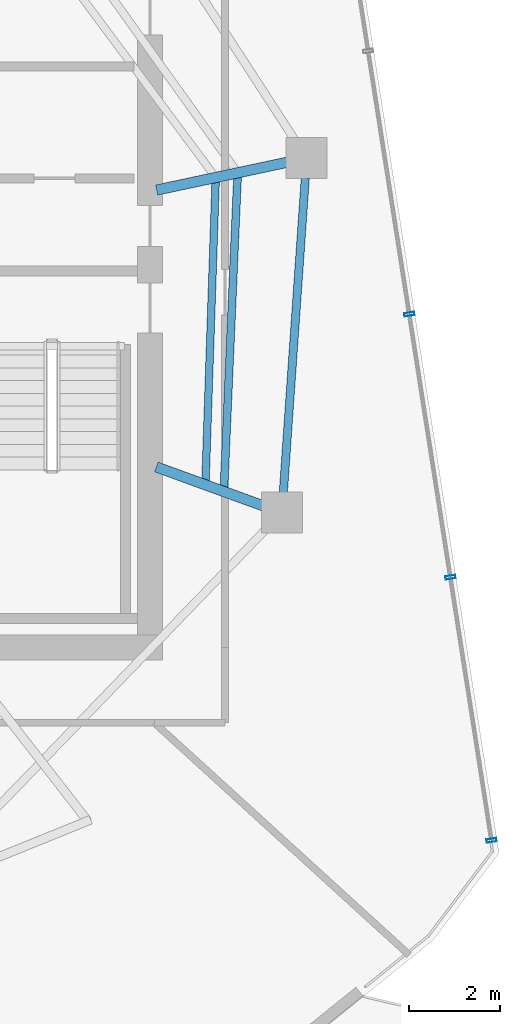
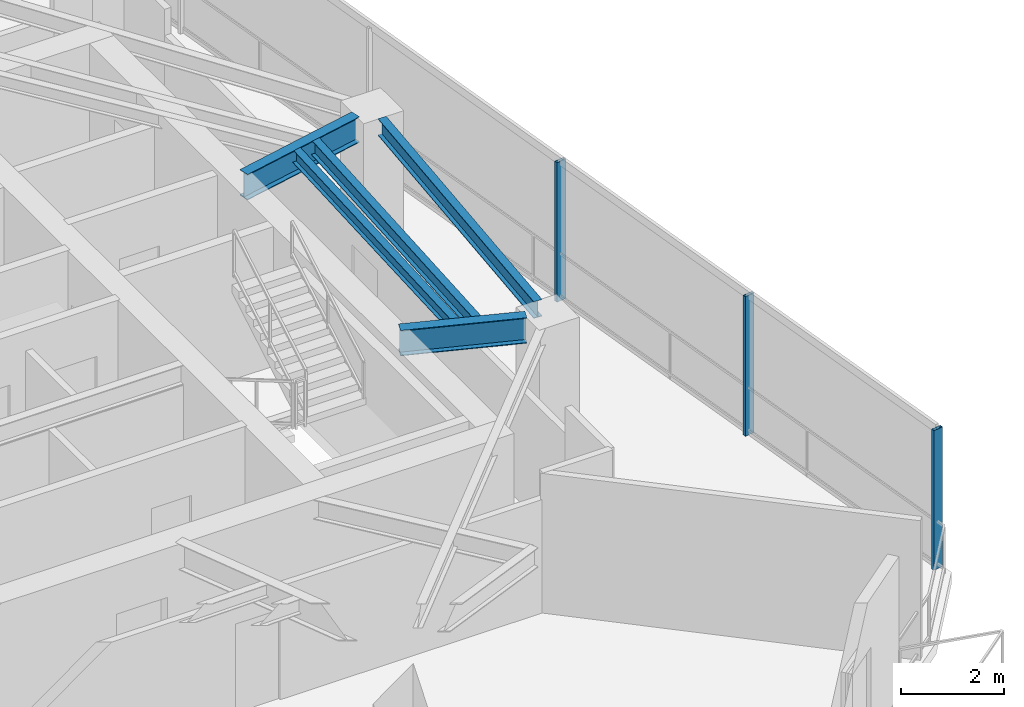
# One storey, part 9 of 19: 5 beams, 3 members, 1 element without a shape of its own.
"""IFC4 building model written with IfcOpenShell, lengths in metres."""

from ifc_helpers import new_model, si_unit, direction, frame, origin, origin_2d, place, context, subcontext, project, spatial, hollow_rectangle, i_section, extrude, material, layer, layer_set, material_profile, profile_set, type_object, element, aggregate, save


model = new_model("IFC4")

# Units and contexts
model_context = context("Model", 3, precision=1e-05, world=origin(), true_north=direction((0.0, 1.0)))
body_context = subcontext(model_context, "Body", "Model", "MODEL_VIEW")
ifc_project = project(units=[si_unit("LENGTHUNIT", "METRE"), si_unit("AREAUNIT", "SQUARE_METRE"), si_unit("VOLUMEUNIT", "CUBIC_METRE"), si_unit("PLANEANGLEUNIT", "RADIAN"), si_unit("MASSUNIT", "GRAM", prefix="KILO")], contexts=[model_context])

# Site, building, storey
site_placement = place(None, origin())
site = spatial("IfcSite", under=ifc_project, at=site_placement, CompositionType="ELEMENT")
building_placement = place(site_placement, origin())
building = spatial("IfcBuilding", under=site, at=building_placement, Name="Qarnah Convention Tower", CompositionType="ELEMENT")
storey_placement = place(building_placement, frame((0.0, 0.0, 213.0)))
storey = spatial("IfcBuildingStorey", under=building, at=storey_placement, Name="L57", CompositionType="ELEMENT", Elevation=213.0)

# Beams
ifc_material_1 = material(Name="Structural steel S355JR", Category="steel")
ifc_material_profile_1 = material_profile(ifc_material_1, i_section(OverallWidth=0.166015625, OverallDepth=0.31201171875, WebThickness=0.007080078125, FlangeThickness=0.010986328125, at=origin_2d()), Name="W310X45")
ifc_profile_set_1 = profile_set([ifc_material_profile_1], Name="Structural steel S355JR")
beam_type_1 = type_object("IfcBeamType", Name="BM-JST-W310", PredefinedType="JOIST", material=ifc_profile_set_1)
beam_1_placement = place(storey_placement, frame((48.820068359375, 22.260986328125, 3.1640625), z_axis=(0.033775053136, 0.999429460135, 0.0), x_axis=(-0.999429460135, 0.033775053136, 0.0)))
element("IfcBeam", 1, at=beam_1_placement, inside=storey, type_object=beam_type_1, Name="L57 joist BM-L57-IJST-09", PredefinedType="JOIST", context=body_context, shape_type="SweptSolid", body=[
    extrude(i_section(OverallWidth=0.166015625, OverallDepth=0.31201171875, WebThickness=0.007080078125, FlangeThickness=0.010986328125, at=origin_2d()), origin(), (0.0, 0.0, 1.0), 6.570556640625),
])
ifc_material_profile_2 = material_profile(ifc_material_1, i_section(OverallWidth=0.172119140625, OverallDepth=0.35595703125, WebThickness=0.007080078125, FlangeThickness=0.011962890625, at=origin_2d()), Name="W360X51")
ifc_profile_set_2 = profile_set([ifc_material_profile_2], Name="Structural steel S355JR")
beam_type_2 = type_object("IfcBeamType", Name="BM-JST-W360", PredefinedType="JOIST", material=ifc_profile_set_2)
beam_2_placement = place(storey_placement, frame((49.22607421875, 22.114013671875, 3.14208984375), z_axis=(0.043514871399, 0.99905277937, 0.0), x_axis=(-0.99905277937, 0.043514871399, 0.0)))
element("IfcBeam", 2, at=beam_2_placement, inside=storey, type_object=beam_type_2, Name="L57 joist BM-L57-SJST-09", PredefinedType="JOIST", context=body_context, shape_type="SweptSolid", body=[
    extrude(i_section(OverallWidth=0.172119140625, OverallDepth=0.35595703125, WebThickness=0.007080078125, FlangeThickness=0.011962890625, at=origin_2d()), origin(), (0.0, 0.0, 1.0), 6.822265625),
])
ifc_material_profile_3 = material_profile(ifc_material_1, i_section(OverallWidth=0.22802734375, OverallDepth=0.60791015625, WebThickness=0.010986328125, FlangeThickness=0.01708984375, at=origin_2d()), Name="W610X113")
ifc_profile_set_3 = profile_set([ifc_material_profile_3], Name="Structural steel S355JR")
beam_type_3 = type_object("IfcBeamType", Name="BM-RAD-W610B", PredefinedType="BEAM", material=ifc_profile_set_3)
beam_3_placement = place(storey_placement, frame((47.7470703125, 28.64208984375, 3.01611328125), z_axis=(0.978136876062, 0.207962140033, 0.0), x_axis=(-0.207962140033, 0.978136876062, 0.0)))
element("IfcBeam", 3, at=beam_3_placement, inside=storey, type_object=beam_type_3, Name="L57 beam BM-L57-RAD-01", PredefinedType="BEAM", context=body_context, shape_type="SweptSolid", body=[
    extrude(i_section(OverallWidth=0.22802734375, OverallDepth=0.60791015625, WebThickness=0.010986328125, FlangeThickness=0.01708984375, at=origin_2d()), origin(), (0.0, 0.0, 1.0), 2.937255859375),
])
beam_4_placement = place(storey_placement, frame((47.740966796875, 22.56298828125, 3.01611328125), z_axis=(0.939707956932, -0.341978004671, 0.0), x_axis=(0.341978004671, 0.939707956932, 0.0)))
element("IfcBeam", 4, at=beam_4_placement, inside=storey, type_object=beam_type_3, Name="L57 beam BM-L57-RAD-09", PredefinedType="BEAM", context=body_context, shape_type="SweptSolid", body=[
    extrude(i_section(OverallWidth=0.22802734375, OverallDepth=0.60791015625, WebThickness=0.010986328125, FlangeThickness=0.01708984375, at=origin_2d()), origin(), (0.0, 0.0, 1.0), 2.5029296875),
])
ifc_material_profile_4 = material_profile(ifc_material_1, i_section(OverallWidth=0.179931640625, OverallDepth=0.39990234375, WebThickness=0.009033203125, FlangeThickness=0.013916015625, at=origin_2d()), Name="IPE400")
ifc_profile_set_4 = profile_set([ifc_material_profile_4], Name="Structural steel S355JR")
beam_type_4 = type_object("IfcBeamType", Name="BM-SPN-IPE400", PredefinedType="SPANDREL", material=ifc_profile_set_4)
beam_5_placement = place(storey_placement, frame((50.528076171875, 21.9990234375, 3.1201171875), z_axis=(0.069635000818, 0.997572537042, 0.0), x_axis=(-0.997572537042, 0.069635000818, 0.0)))
element("IfcBeam", 5, at=beam_5_placement, inside=storey, type_object=beam_type_4, Name="L57 spandrel BM-L57-SPN-09", PredefinedType="SPANDREL", context=body_context, shape_type="SweptSolid", body=[
    extrude(i_section(OverallWidth=0.179931640625, OverallDepth=0.39990234375, WebThickness=0.009033203125, FlangeThickness=0.013916015625, at=origin_2d()), origin(), (0.0, 0.0, 1.0), 6.9208984375),
])

# Curtain wall, members
ifc_material_2 = material(Name="Tempered Low-E dark glass", Category="glass")
ifc_layer = layer(ifc_material_2, 0.174072265625)
ifc_layer_set = layer_set([ifc_layer], Name="Tempered Low-E dark glass")
curtain_wall_type = type_object("IfcCurtainWallType", Name="CWS-04", PredefinedType="NOTDEFINED", material=ifc_layer_set)
curtain_wall_placement = place(storey_placement, origin())
curtain_wall = element("IfcCurtainWall", 6, at=curtain_wall_placement, inside=storey, type_object=curtain_wall_type, Name="L57 unitised curtain wall CW-L57-F2", PredefinedType="NOTDEFINED")
ifc_material_3 = material(Name="Black anodised aluminium", Category="aluminium")
ifc_material_profile_5 = material_profile(ifc_material_3, hollow_rectangle(XDim=0.074951171875, YDim=0.219970703125, WallThickness=0.0048828125, at=origin_2d()), Name="MUL-75X220")
ifc_profile_set_5 = profile_set([ifc_material_profile_5], Name="Black anodised aluminium")
member_type = type_object("IfcMemberType", Name="MUL-T4", PredefinedType="MULLION", material=ifc_profile_set_5)
member_1_placement = place(storey_placement, frame((53.294189453125, 25.91796875, 0.0), z_axis=(0.0, 0.0, 1.0), x_axis=(0.154360185403, -0.98801464218, 0.0)))
member_1 = element("IfcMember", 7, at=member_1_placement, type_object=member_type, Name="CW-L57-F2 mullion 4", PredefinedType="MULLION", context=body_context, shape_type="SweptSolid", body=[
    extrude(hollow_rectangle(XDim=0.074951171875, YDim=0.219970703125, WallThickness=0.0048828125, at=origin_2d()), origin(), (0.0, 0.0, 1.0), 3.320068359375),
])
member_2_placement = place(storey_placement, frame((54.196533203125, 20.14208984375, 0.0), z_axis=(0.0, 0.0, 1.0), x_axis=(0.154360185403, -0.98801464218, 0.0)))
member_2 = element("IfcMember", 8, at=member_2_placement, type_object=member_type, Name="CW-L57-F2 mullion 5", PredefinedType="MULLION", context=body_context, shape_type="SweptSolid", body=[
    extrude(hollow_rectangle(XDim=0.074951171875, YDim=0.219970703125, WallThickness=0.0048828125, at=origin_2d()), origin(), (0.0, 0.0, 1.0), 3.320068359375),
])
member_3_placement = place(storey_placement, frame((55.09912109375, 14.365966796875, 0.0), z_axis=(0.0, 0.0, 1.0), x_axis=(0.154360185403, -0.98801464218, 0.0)))
member_3 = element("IfcMember", 9, at=member_3_placement, type_object=member_type, Name="CW-L57-F2 mullion 6", PredefinedType="MULLION", context=body_context, shape_type="SweptSolid", body=[
    extrude(hollow_rectangle(XDim=0.074951171875, YDim=0.219970703125, WallThickness=0.0048828125, at=origin_2d()), origin(), (0.0, 0.0, 1.0), 3.320068359375),
])
aggregate(curtain_wall, [member_1, member_2, member_3])

save(model, "model.ifc")
